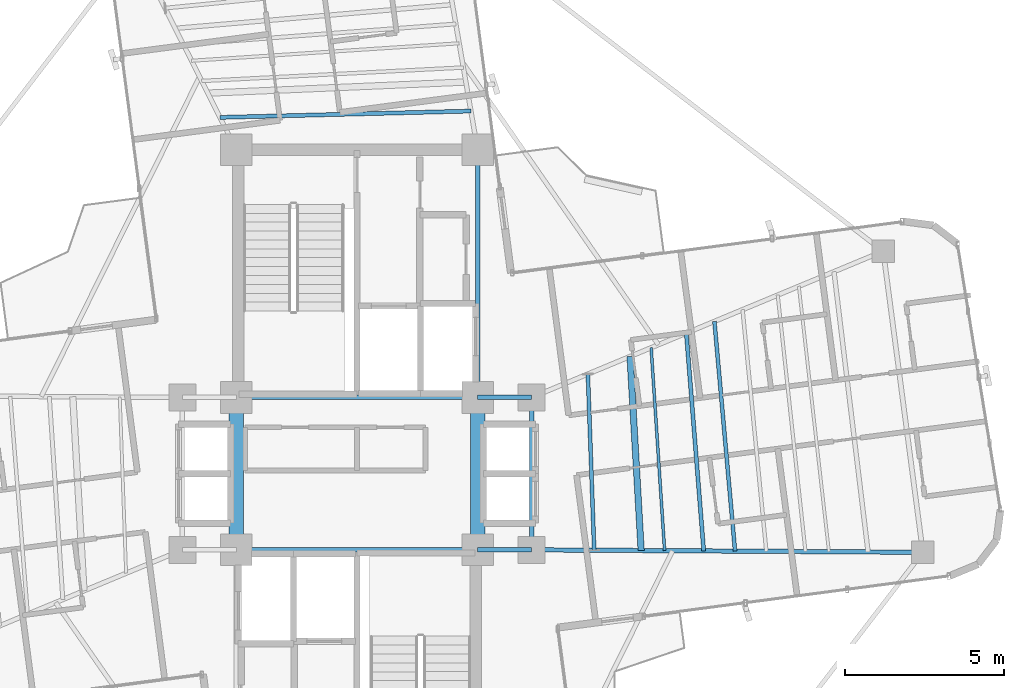
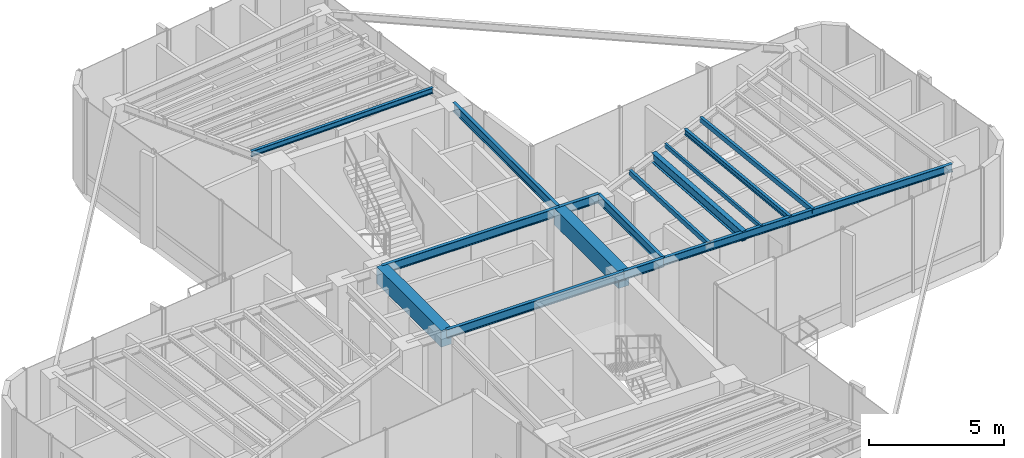
# One storey, part 6 of 20: 15 beams.
"""IFC4 building model written with IfcOpenShell, lengths in metres."""

from ifc_helpers import new_model, si_unit, direction, frame, origin, origin_2d, place, context, subcontext, project, spatial, rectangle, hollow_rectangle, i_section, extrude, source, transform, mapped, material, material_profile, profile_set, type_object, element, save


model = new_model("IFC4")

# Units and contexts
model_context = context("Model", 3, precision=1e-05, world=origin(), true_north=direction((0.0, 1.0)))
body_context = subcontext(model_context, "Body", "Model", "MODEL_VIEW")
ifc_project = project(units=[si_unit("LENGTHUNIT", "METRE"), si_unit("AREAUNIT", "SQUARE_METRE"), si_unit("VOLUMEUNIT", "CUBIC_METRE"), si_unit("PLANEANGLEUNIT", "RADIAN"), si_unit("MASSUNIT", "GRAM", prefix="KILO")], contexts=[model_context])

# Site, building, storey
site_placement = place(None, origin())
site = spatial("IfcSite", under=ifc_project, at=site_placement, CompositionType="ELEMENT")
building_placement = place(site_placement, origin())
building = spatial("IfcBuilding", under=site, at=building_placement, Name="Sahyath Konkavel Grand Hotel", CompositionType="ELEMENT")
storey_placement = place(building_placement, frame((0.0, 0.0, 229.949951171875)))
storey = spatial("IfcBuildingStorey", under=building, at=storey_placement, Name="L64", CompositionType="ELEMENT", Elevation=229.949951171875)

# Beams
ifc_material_1 = material(Name="Steel E350", Category="steel")
ifc_material_profile_1 = material_profile(ifc_material_1, i_section(OverallWidth=0.139892578125, OverallDepth=0.39990234375, WebThickness=0.0087890625, FlangeThickness=0.01611328125, FilletRadius=0.013916015625, at=origin_2d()), Name="ISMB 400")
ifc_profile_set_1 = profile_set([ifc_material_profile_1], Name="Steel E350")
beam_type_1 = type_object("IfcBeamType", Name="BM-ISMB400", PredefinedType="BEAM", material=ifc_profile_set_1)
shared_shape_1 = source(origin(), body_context, "Body", "SweptSolid", [
    extrude(i_section(OverallWidth=0.139892578125, OverallDepth=0.39990234375, WebThickness=0.0087890625, FlangeThickness=0.01611328125, FilletRadius=0.013916015625, at=origin_2d()), origin(), (0.0, 0.0, 1.0), 7.60009765625),
])
for number, where, z_axis, x_axis, name in (
    (1, (-3.800048828125, 2.39990234375, 4.06005859375), (1.0, 0.0, 0.0), (0.0, 1.0, 0.0), "str:bm:L64:NC-S"),
    (2, (-3.800048828125, -2.39990234375, 4.06005859375), (1.0, 0.0, 0.0), (0.0, 1.0, 0.0), "str:bm:L64:SC-N"),
):
    element("IfcBeam", number, at=place(storey_placement, frame(where, z_axis=z_axis, x_axis=x_axis)), inside=storey, type_object=beam_type_1, Name=name, PredefinedType="BEAM", context=body_context, shape_type="MappedRepresentation", body=[
        mapped(shared_shape_1, transform((0.0, 0.0, 0.0), scale=1.0)),
    ])
shared_shape_2 = source(origin(), body_context, "Body", "SweptSolid", [
    extrude(i_section(OverallWidth=0.139892578125, OverallDepth=0.39990234375, WebThickness=0.0087890625, FlangeThickness=0.01611328125, FilletRadius=0.013916015625, at=origin_2d()), origin(), (0.0, 0.0, 1.0), 7.800048828125),
])
beam_1_placement = place(storey_placement, frame((3.800048828125, 2.39990234375, 4.06005859375), z_axis=(0.0, 1.0, 0.0), x_axis=(-1.0, 0.0, 0.0)))
element("IfcBeam", 3, at=beam_1_placement, inside=storey, type_object=beam_type_1, Name="str:bm:L64:NC-E", PredefinedType="BEAM", context=body_context, shape_type="MappedRepresentation", body=[
    mapped(shared_shape_2, transform((0.0, 0.0, 0.0), scale=1.0)),
])
shared_shape_3 = source(origin(), body_context, "Body", "SweptSolid", [
    extrude(i_section(OverallWidth=0.139892578125, OverallDepth=0.39990234375, WebThickness=0.0087890625, FlangeThickness=0.01611328125, FilletRadius=0.013916015625, at=origin_2d()), origin(), (0.0, 0.0, 1.0), 1.699951171875),
])
for number, where, z_axis, x_axis, name in (
    (4, (3.800048828125, 2.39990234375, 4.06005859375), (1.0, 0.0, 0.0), (0.0, 1.0, 0.0), "str:bm:L64:HB-NE"),
    (5, (3.800048828125, -2.39990234375, 4.06005859375), (1.0, 0.0, 0.0), (0.0, 1.0, 0.0), "str:bm:L64:HB-SE"),
):
    element("IfcBeam", number, at=place(storey_placement, frame(where, z_axis=z_axis, x_axis=x_axis)), inside=storey, type_object=beam_type_1, Name=name, PredefinedType="BEAM", context=body_context, shape_type="MappedRepresentation", body=[
        mapped(shared_shape_3, transform((0.0, 0.0, 0.0), scale=1.0)),
    ])
shared_shape_4 = source(origin(), body_context, "Body", "SweptSolid", [
    extrude(i_section(OverallWidth=0.139892578125, OverallDepth=0.39990234375, WebThickness=0.0087890625, FlangeThickness=0.01611328125, FilletRadius=0.013916015625, at=origin_2d()), origin(), (0.0, 0.0, 1.0), 4.7998046875),
])
beam_2_placement = place(storey_placement, frame((5.5, -2.39990234375, 4.06005859375), z_axis=(0.0, 1.0, 0.0), x_axis=(-1.0, 0.0, 0.0)))
element("IfcBeam", 6, at=beam_2_placement, inside=storey, type_object=beam_type_1, Name="str:bm:L64:HB-E", PredefinedType="BEAM", context=body_context, shape_type="MappedRepresentation", body=[
    mapped(shared_shape_4, transform((0.0, 0.0, 0.0), scale=1.0)),
])
ifc_material_2 = material(Name="Concrete C40/50", Category="concrete")
ifc_material_profile_2 = material_profile(ifc_material_2, rectangle(XDim=0.449951171875, YDim=0.75, at=origin_2d()), Name="RC 450x750")
ifc_profile_set_2 = profile_set([ifc_material_profile_2], Name="Concrete C40/50")
beam_type_2 = type_object("IfcBeamType", Name="BM-CB450x750", PredefinedType="LINTEL", material=ifc_profile_set_2)
shared_shape_5 = source(origin(), body_context, "Body", "SweptSolid", [
    extrude(rectangle(XDim=0.449951171875, YDim=0.75, at=origin_2d()), origin(), (0.0, 0.0, 1.0), 4.7998046875),
])
for number, where, z_axis, x_axis, name in (
    (7, (-3.800048828125, -2.39990234375, 3.885009765625), (0.0, 1.0, 0.0), (-1.0, 0.0, 0.0), "L64 Split-Core Coupling Beam West"),
    (8, (3.800048828125, -2.39990234375, 3.885009765625), (0.0, 1.0, 0.0), (-1.0, 0.0, 0.0), "L64 Split-Core Coupling Beam East"),
):
    element("IfcBeam", number, at=place(storey_placement, frame(where, z_axis=z_axis, x_axis=x_axis)), inside=storey, type_object=beam_type_2, Name=name, PredefinedType="LINTEL", context=body_context, shape_type="MappedRepresentation", body=[
        mapped(shared_shape_5, transform((0.0, 0.0, 0.0), scale=1.0)),
    ])
ifc_material_profile_3 = material_profile(ifc_material_1, i_section(OverallWidth=0.139892578125, OverallDepth=0.35009765625, WebThickness=0.008056640625, FlangeThickness=0.01416015625, FilletRadius=0.013916015625, at=origin_2d()), Name="ISMB 350")
ifc_profile_set_3 = profile_set([ifc_material_profile_3], Name="Steel E350")
beam_type_3 = type_object("IfcBeamType", Name="BM-ISMB350", PredefinedType="BEAM", material=ifc_profile_set_3)
shared_shape_6 = source(origin(), body_context, "Body", "SweptSolid", [
    extrude(i_section(OverallWidth=0.139892578125, OverallDepth=0.35009765625, WebThickness=0.008056640625, FlangeThickness=0.01416015625, FilletRadius=0.013916015625, at=origin_2d()), origin(), (0.0, 0.0, 1.0), 12.3232421875),
])
beam_3_placement = place(storey_placement, frame((5.5, -2.39990234375, 4.0849609375), z_axis=(0.999980029649, -0.006319834165, 0.0), x_axis=(0.006319834165, 0.999980029649, 0.0)))
element("IfcBeam", 9, at=beam_3_placement, inside=storey, type_object=beam_type_3, Name="L64 Cruciform Radial Girder EA", PredefinedType="BEAM", context=body_context, shape_type="MappedRepresentation", body=[
    mapped(shared_shape_6, transform((0.0, 0.0, 0.0), scale=1.0)),
])
ifc_material_profile_4 = material_profile(ifc_material_1, i_section(OverallWidth=0.199951171875, OverallDepth=0.449951171875, WebThickness=0.00927734375, FlangeThickness=0.015380859375, FilletRadius=0.01611328125, at=origin_2d()), Name="ISWB 450")
ifc_profile_set_4 = profile_set([ifc_material_profile_4], Name="Steel E350")
beam_type_4 = type_object("IfcBeamType", Name="BM-ISWB450", PredefinedType="BEAM", material=ifc_profile_set_4)
shared_shape_7 = source(origin(), body_context, "Body", "SweptSolid", [
    extrude(i_section(OverallWidth=0.199951171875, OverallDepth=0.449951171875, WebThickness=0.00927734375, FlangeThickness=0.015380859375, FilletRadius=0.01611328125, at=origin_2d()), origin(), (0.0, 0.0, 1.0), 6.12158203125),
])
beam_4_placement = place(storey_placement, frame((8.950439453125, -2.421875, 4.03515625), z_axis=(-0.057111122498, 0.998367827851, 0.0), x_axis=(-0.998367827851, -0.057111122498, 0.0)))
element("IfcBeam", 10, at=beam_4_placement, inside=storey, type_object=beam_type_4, Name="L64 Secondary Floor Beam E-1", PredefinedType="BEAM", context=body_context, shape_type="MappedRepresentation", body=[
    mapped(shared_shape_7, transform((0.0, 0.0, 0.0), scale=1.0)),
])
ifc_material_profile_5 = material_profile(ifc_material_1, hollow_rectangle(XDim=0.1201171875, YDim=0.219970703125, WallThickness=0.010009765625, at=origin_2d()), Name="RHS 220x120x10")
ifc_profile_set_5 = profile_set([ifc_material_profile_5], Name="Steel E350")
beam_type_5 = type_object("IfcBeamType", Name="BM-RHS220", PredefinedType="BEAM", material=ifc_profile_set_5)
shared_shape_8 = source(origin(), body_context, "Body", "SweptSolid", [
    extrude(hollow_rectangle(XDim=0.1201171875, YDim=0.219970703125, WallThickness=0.010009765625, at=origin_2d()), origin(), (0.0, 0.0, 1.0), 7.264892578125),
])
beam_5_placement = place(storey_placement, frame((11.907958984375, -2.4404296875, 4.150146484375), z_axis=(-0.08939034823, 0.995996669494, 0.0), x_axis=(-0.995996669494, -0.08939034823, 0.0)))
element("IfcBeam", 11, at=beam_5_placement, inside=storey, type_object=beam_type_5, Name="L64 Secondary Floor Beam E-2", PredefinedType="BEAM", context=body_context, shape_type="MappedRepresentation", body=[
    mapped(shared_shape_8, transform((0.0, 0.0, 0.0), scale=1.0)),
])
shared_shape_9 = source(origin(), body_context, "Body", "SweptSolid", [
    extrude(hollow_rectangle(XDim=0.1201171875, YDim=0.219970703125, WallThickness=0.010009765625, at=origin_2d()), origin(), (0.0, 0.0, 1.0), 5.552978515625),
])
beam_6_placement = place(storey_placement, frame((7.4716796875, -2.412353515625, 4.150146484375), z_axis=(-0.035964400029, 0.999353071707, 0.0), x_axis=(-0.999353071707, -0.035964400029, 0.0)))
element("IfcBeam", 12, at=beam_6_placement, inside=storey, type_object=beam_type_5, Name="L64 Composite Deck Sub-Beam E-1", PredefinedType="BEAM", context=body_context, shape_type="MappedRepresentation", body=[
    mapped(shared_shape_9, transform((0.0, 0.0, 0.0), scale=1.0)),
])
ifc_material_profile_6 = material_profile(ifc_material_1, hollow_rectangle(XDim=0.090087890625, YDim=0.179931640625, WallThickness=0.008056640625, at=origin_2d()), Name="RHS 180x90x8")
ifc_profile_set_6 = profile_set([ifc_material_profile_6], Name="Steel E350")
beam_type_6 = type_object("IfcBeamType", Name="BM-RHS180", PredefinedType="BEAM", material=ifc_profile_set_6)
shared_shape_10 = source(origin(), body_context, "Body", "SweptSolid", [
    extrude(hollow_rectangle(XDim=0.090087890625, YDim=0.179931640625, WallThickness=0.008056640625, at=origin_2d()), origin(), (0.0, 0.0, 1.0), 6.40673828125),
])
beam_7_placement = place(storey_placement, frame((9.689697265625, -2.426513671875, 4.170166015625), z_axis=(-0.066230672943, 0.997804338516, 0.0), x_axis=(-0.997804338516, -0.066230672943, 0.0)))
element("IfcBeam", 13, at=beam_7_placement, inside=storey, type_object=beam_type_6, Name="L64 Composite Deck Sub-Beam E-2", PredefinedType="BEAM", context=body_context, shape_type="MappedRepresentation", body=[
    mapped(shared_shape_10, transform((0.0, 0.0, 0.0), scale=1.0)),
])
ifc_material_profile_7 = material_profile(ifc_material_1, i_section(OverallWidth=0.125, OverallDepth=0.25, WebThickness=0.0068359375, FlangeThickness=0.012451171875, FilletRadius=0.012939453125, at=origin_2d()), Name="ISMB 250")
ifc_profile_set_7 = profile_set([ifc_material_profile_7], Name="Steel E350")
beam_type_7 = type_object("IfcBeamType", Name="BM-ISMB250", PredefinedType="BEAM", material=ifc_profile_set_7)
shared_shape_11 = source(origin(), body_context, "Body", "SweptSolid", [
    extrude(i_section(OverallWidth=0.125, OverallDepth=0.25, WebThickness=0.0068359375, FlangeThickness=0.012451171875, FilletRadius=0.012939453125, at=origin_2d()), origin(), (0.0, 0.0, 1.0), 6.8828125),
])
beam_8_placement = place(storey_placement, frame((10.922119140625, -2.43408203125, 4.135009765625), z_axis=(-0.079810073967, 0.996810088278, 0.0), x_axis=(-0.996810088278, -0.079810073967, 0.0)))
element("IfcBeam", 14, at=beam_8_placement, inside=storey, type_object=beam_type_7, Name="L64 Composite Deck Sub-Beam E-3", PredefinedType="BEAM", context=body_context, shape_type="MappedRepresentation", body=[
    mapped(shared_shape_11, transform((0.0, 0.0, 0.0), scale=1.0)),
])
shared_shape_12 = source(origin(), body_context, "Body", "SweptSolid", [
    extrude(i_section(OverallWidth=0.125, OverallDepth=0.25, WebThickness=0.0068359375, FlangeThickness=0.012451171875, FilletRadius=0.012939453125, at=origin_2d()), origin(), (0.0, 0.0, 1.0), 7.90380859375),
])
beam_9_placement = place(storey_placement, frame((3.58837890625, 11.419677734375, 4.135009765625), z_axis=(-0.999680740221, -0.02526692762, 0.0), x_axis=(0.02526692762, -0.999680740221, 0.0)))
element("IfcBeam", 15, at=beam_9_placement, inside=storey, type_object=beam_type_7, Name="L64 Composite Deck Sub-Beam N-1", PredefinedType="BEAM", context=body_context, shape_type="MappedRepresentation", body=[
    mapped(shared_shape_12, transform((0.0, 0.0, 0.0), scale=1.0)),
])

save(model, "model.ifc")
